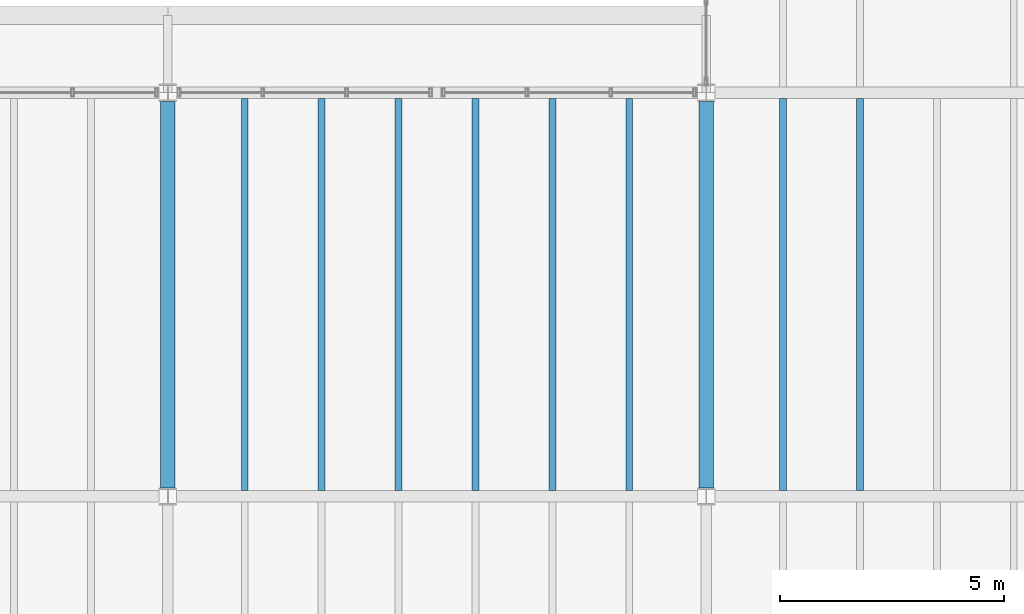
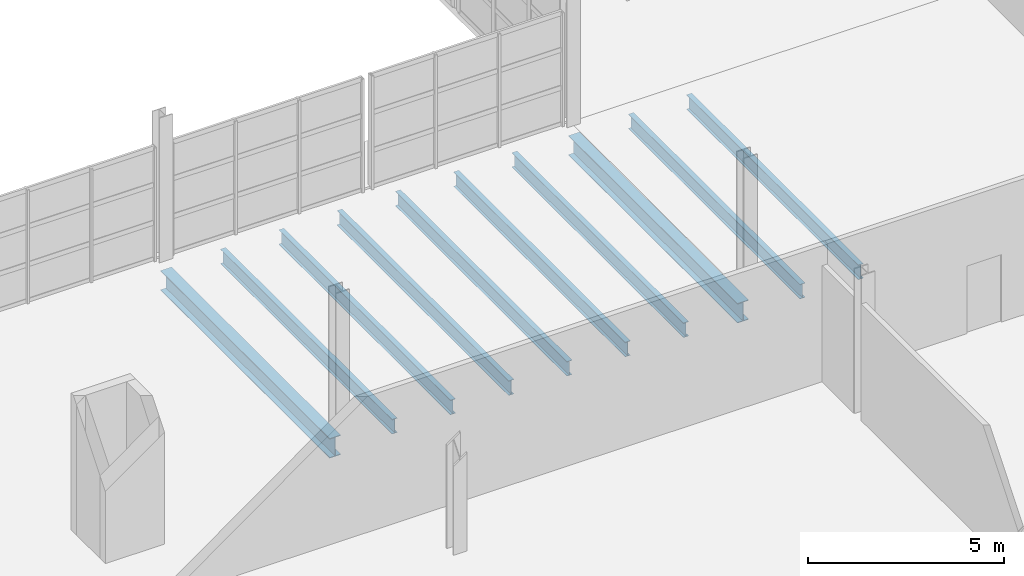
# One storey, part 47 of 114: 10 beams.
"""IFC4 building model written with IfcOpenShell, lengths in metres."""

from ifc_helpers import new_model, si_unit, direction, frame, origin, origin_2d, place, context, subcontext, project, spatial, i_section, extrude, material, material_profile, profile_set, type_object, element, save


model = new_model("IFC4")

# Units and contexts
model_context = context("Model", 3, precision=1e-05, world=origin(), true_north=direction((0.0, 1.0)))
body_context = subcontext(model_context, "Body", "Model", "MODEL_VIEW")
ifc_project = project(units=[si_unit("LENGTHUNIT", "METRE"), si_unit("AREAUNIT", "SQUARE_METRE"), si_unit("VOLUMEUNIT", "CUBIC_METRE"), si_unit("PLANEANGLEUNIT", "RADIAN"), si_unit("MASSUNIT", "GRAM", prefix="KILO")], contexts=[model_context])

# Site, building, storey
site_placement = place(None, origin())
site = spatial("IfcSite", under=ifc_project, at=site_placement, CompositionType="ELEMENT")
building_placement = place(site_placement, origin())
building = spatial("IfcBuilding", under=site, at=building_placement, Name="Kelmvaro Bay Concert Hall", CompositionType="ELEMENT")
storey_placement = place(building_placement, frame((0.0, 0.0, 4.800048828125)))
storey = spatial("IfcBuildingStorey", under=building, at=storey_placement, Name="L01", CompositionType="ELEMENT", Elevation=4.800048828125)

# Beams
ifc_material_1 = material(Name="Steel ASTM A992 Grade 50", Category="steel")
ifc_material_profile_1 = material_profile(ifc_material_1, i_section(OverallWidth=0.152099609375, OverallDepth=0.455078125, WebThickness=0.008056640625, FlangeThickness=0.01318359375, at=origin_2d()), Name="W18X40")
ifc_profile_set_1 = profile_set([ifc_material_profile_1], Name="Steel ASTM A992 Grade 50")
beam_type_1 = type_object("IfcBeamType", Name="Foyer Concourse Floor Joist W18x40", PredefinedType="JOIST", material=ifc_profile_set_1)
for number, where, z_axis, x_axis, name in (
    (1, (97.71435546875, 30.1279296875, -0.4775390625), (0.0, 1.0, 0.0), (-1.0, 0.0, 0.0), "L01 Floor Joist JST-L01-0392"),
    (2, (99.4287109375, 30.1279296875, -0.4775390625), (0.0, 1.0, 0.0), (-1.0, 0.0, 0.0), "L01 Floor Joist JST-L01-0393"),
    (3, (101.142822265625, 30.1279296875, -0.4775390625), (0.0, 1.0, 0.0), (-1.0, 0.0, 0.0), "L01 Floor Joist JST-L01-0394"),
    (4, (102.857177734375, 30.1279296875, -0.4775390625), (0.0, 1.0, 0.0), (-1.0, 0.0, 0.0), "L01 Floor Joist JST-L01-0395"),
    (5, (104.5712890625, 30.1279296875, -0.4775390625), (0.0, 1.0, 0.0), (-1.0, 0.0, 0.0), "L01 Floor Joist JST-L01-0396"),
    (6, (106.28564453125, 30.1279296875, -0.4775390625), (0.0, 1.0, 0.0), (-1.0, 0.0, 0.0), "L01 Floor Joist JST-L01-0397"),
    (7, (109.71435546875, 30.1279296875, -0.4775390625), (0.0, 1.0, 0.0), (-1.0, 0.0, 0.0), "L01 Floor Joist JST-L01-0398"),
    (8, (111.4287109375, 30.1279296875, -0.4775390625), (0.0, 1.0, 0.0), (-1.0, 0.0, 0.0), "L01 Floor Joist JST-L01-0399"),
):
    element("IfcBeam", number, at=place(storey_placement, frame(where, z_axis=z_axis, x_axis=x_axis)), inside=storey, type_object=beam_type_1, Name=name, PredefinedType="JOIST", context=body_context, shape_type="SweptSolid", body=[
        extrude(i_section(OverallWidth=0.152099609375, OverallDepth=0.455078125, WebThickness=0.008056640625, FlangeThickness=0.01318359375, at=origin_2d()), origin(), (0.0, 0.0, 1.0), 8.744140625),
    ])
ifc_material_2 = material(Name="Steel ASTM A992 Grade 50", Category="steel")
ifc_material_profile_2 = material_profile(ifc_material_2, i_section(OverallWidth=0.323974609375, OverallDepth=0.611083984375, WebThickness=0.0126953125, FlangeThickness=0.01904296875, at=origin_2d()), Name="W24X104")
ifc_profile_set_2 = profile_set([ifc_material_profile_2], Name="Steel ASTM A992 Grade 50")
beam_type_2 = type_object("IfcBeamType", Name="Foyer Frame Girder W24x104", PredefinedType="BEAM", material=ifc_profile_set_2)
for number, where, z_axis, x_axis, name in (
    (9, (96.0, 30.1904296875, -0.5556640625), (0.0, 1.0, 0.0), (-1.0, 0.0, 0.0), "L01 Girder BM-L01-NS-0174"),
    (10, (108.0, 30.1904296875, -0.5556640625), (0.0, 1.0, 0.0), (-1.0, 0.0, 0.0), "L01 Girder BM-L01-NS-0178"),
):
    element("IfcBeam", number, at=place(storey_placement, frame(where, z_axis=z_axis, x_axis=x_axis)), inside=storey, type_object=beam_type_2, Name=name, PredefinedType="BEAM", context=body_context, shape_type="SweptSolid", body=[
        extrude(i_section(OverallWidth=0.323974609375, OverallDepth=0.611083984375, WebThickness=0.0126953125, FlangeThickness=0.01904296875, at=origin_2d()), origin(), (0.0, 0.0, 1.0), 8.619140625),
    ])

save(model, "model.ifc")
